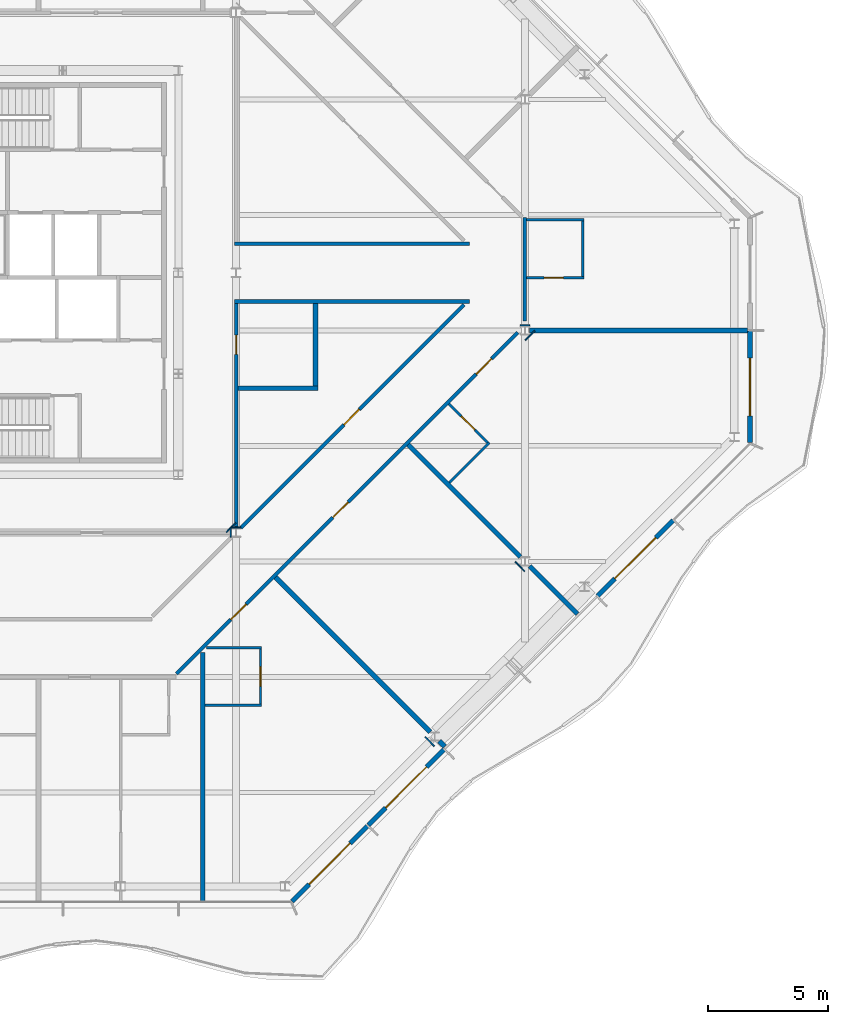
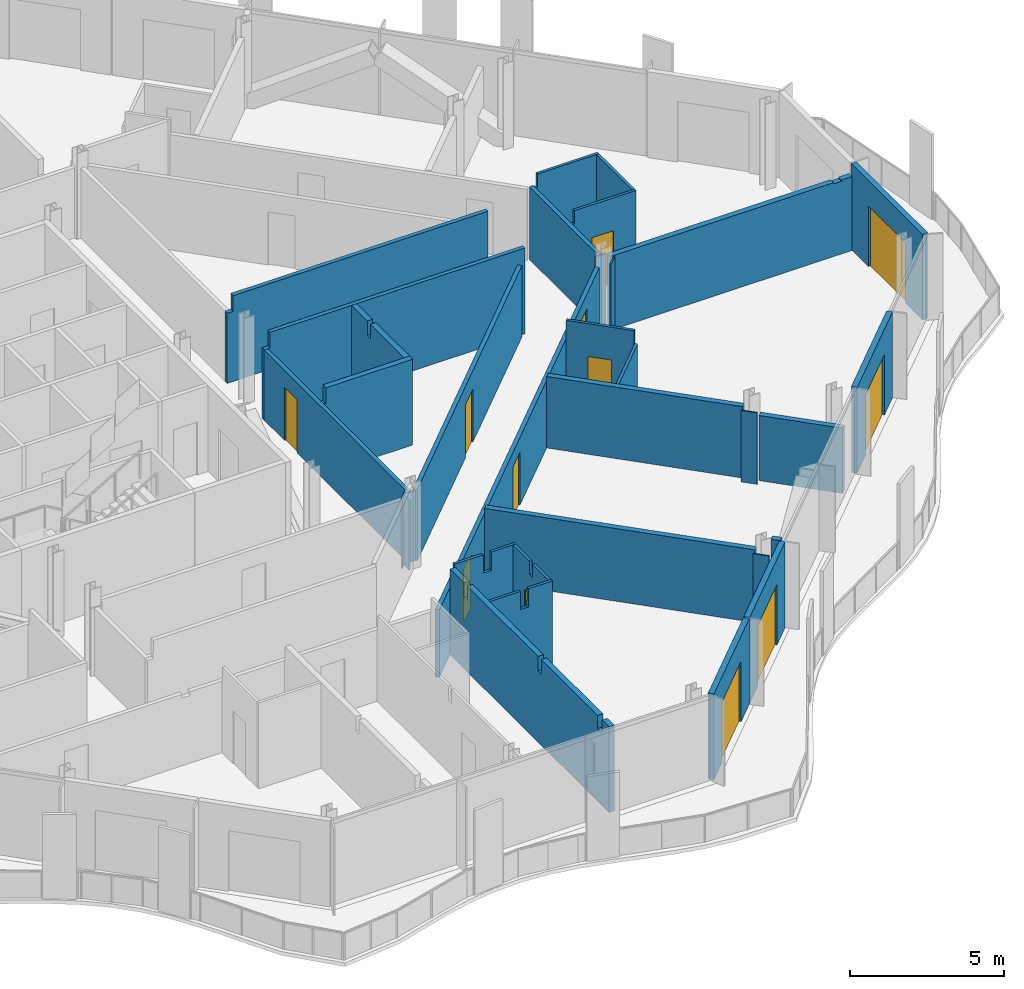
# One storey, part 9 of 17: 33 walls, 12 doors, 12 openings.
"""IFC4 building model written with IfcOpenShell, lengths in metres."""

import ifcopenshell
import ifcopenshell.guid

model = None  # the IFC model being written
_history = None  # IfcOwnerHistory: only IFC2X3 demands one
_inside = {}  # id of a spatial element -> (the spatial element, [elements in it])
_under = {}  # id of a project, library or spatial element -> (it, [spatial elements below it])
_declared = {}  # id of a project -> (the project, [libraries it declares])
_typed = {}  # id of a type object -> (the type object, [elements of that type])
_made_of = {}  # id of a material, layer set ... -> (it, [elements and type objects made of it])


def new_model(schema):
    """Start an empty IFC model of exactly this schema.

    Asked for "IFC4X3", IfcOpenShell would pick the latest addendum, in which some entities
    have other attributes; the version numbers below select the first issue.
    IFC2X3 requires an IfcOwnerHistory on every rooted entity: one is made here for all.
    """
    global model, _history
    if schema == "IFC4X3":
        model = ifcopenshell.file(schema_version=(4, 3, 0, 0))
    else:
        model = ifcopenshell.file(schema=schema)
    _inside.clear()
    _under.clear()
    _declared.clear()
    _typed.clear()
    _made_of.clear()
    _history = None
    if model.schema == "IFC2X3":
        org = make("IfcOrganization", Name="unknown")
        user = make(
            "IfcPersonAndOrganization",
            ThePerson=make("IfcPerson", FamilyName="unknown"),
            TheOrganization=org,
        )
        app = make(
            "IfcApplication",
            ApplicationDeveloper=org,
            Version="unknown",
            ApplicationFullName="unknown",
            ApplicationIdentifier="unknown",
        )
        _history = make(
            "IfcOwnerHistory",
            OwningUser=user,
            OwningApplication=app,
            ChangeAction="ADDED",
            CreationDate=0,
        )
    return model


def make(cls, **values):
    """One entity of the class cls with the attributes given. An attribute that is None is left unset."""
    return model.create_entity(
        cls, **{name: value for name, value in values.items() if value is not None}
    )


def rooted(cls, **values):
    """An entity with a GlobalId (a new one), such as an element, a storey or a relation."""
    return make(cls, GlobalId=ifcopenshell.guid.new(), OwnerHistory=_history, **values)


def si_unit(unit_type, name, prefix=None):
    """IfcSIUnit, for example si_unit("LENGTHUNIT", "METRE", prefix="MILLI")."""
    return make("IfcSIUnit", UnitType=unit_type, Prefix=prefix, Name=name)


def assignment(units):
    """IfcUnitAssignment: the units of a project."""
    return None if units is None else make("IfcUnitAssignment", Units=units)


def point(xyz):
    """IfcCartesianPoint."""
    return None if xyz is None else make("IfcCartesianPoint", Coordinates=xyz)


def direction(xyz):
    """IfcDirection."""
    return None if xyz is None else make("IfcDirection", DirectionRatios=xyz)


def frame(location, z_axis=None, x_axis=None):
    """IfcAxis2Placement3D, a coordinate frame: its origin and axes. An axis left out is left unset."""
    return make(
        "IfcAxis2Placement3D",
        Location=point(location),
        Axis=direction(z_axis),
        RefDirection=direction(x_axis),
    )


def frame_2d(location, x_axis=None):
    """IfcAxis2Placement2D, a coordinate frame in the plane: its origin and x axis."""
    return make(
        "IfcAxis2Placement2D", Location=point(location), RefDirection=direction(x_axis)
    )


def origin():
    """The frame at (0, 0, 0) with its axes left unset."""
    return frame((0.0, 0.0, 0.0))


def place(relative_to, where):
    """IfcLocalPlacement: puts the frame where relative to a parent placement (None: the world)."""
    return make(
        "IfcLocalPlacement", PlacementRelTo=relative_to, RelativePlacement=where
    )


def context(
    kind, dimensions, precision=None, world=None, true_north=None, identifier=None
):
    """IfcGeometricRepresentationContext, for example the 3D "Model" context."""
    return make(
        "IfcGeometricRepresentationContext",
        ContextIdentifier=identifier,
        ContextType=kind,
        CoordinateSpaceDimension=dimensions,
        Precision=precision,
        WorldCoordinateSystem=world,
        TrueNorth=true_north,
    )


def subcontext(parent, identifier, kind, view, scale=None):
    """IfcGeometricRepresentationSubContext, for example "Body" below "Model"."""
    return make(
        "IfcGeometricRepresentationSubContext",
        ContextIdentifier=identifier,
        ContextType=kind,
        ParentContext=parent,
        TargetScale=scale,
        TargetView=view,
    )


def project(units=None, contexts=None):
    """IfcProject with its units and contexts."""
    return rooted(
        "IfcProject",
        Name="project",
        RepresentationContexts=contexts,
        UnitsInContext=assignment(units),
    )


def spatial(cls, under=None, at=None, **own):
    """A site, building, storey or space (cls), placed at a placement, below another one or the project."""
    s = rooted(cls, ObjectPlacement=at, **own)
    if under is not None:
        _under.setdefault(under.id(), (under, []))[1].append(s)
    return s


def polyline(points):
    """IfcPolyline through the points."""
    return make("IfcPolyline", Points=[point(p) for p in points])


def profile(cls, at=None, kind="AREA", **sizes):
    """A parametric profile (cls). Its sizes go by their IFC names, for example OverallWidth=200.0."""
    return make(cls, ProfileType=kind, Position=at, **sizes)


def rectangle(**sizes):
    """IfcRectangleProfileDef."""
    return profile("IfcRectangleProfileDef", **sizes)


def outline(outer, holes=None, kind="AREA"):
    """IfcArbitraryClosedProfileDef: a profile drawn as a closed curve; with holes, ...WithVoids."""
    if holes is None:
        return make("IfcArbitraryClosedProfileDef", ProfileType=kind, OuterCurve=outer)
    return make(
        "IfcArbitraryProfileDefWithVoids",
        ProfileType=kind,
        OuterCurve=outer,
        InnerCurves=holes,
    )


def extrude(swept, where, along, depth):
    """IfcExtrudedAreaSolid: the profile swept, set in the frame where, extruded along a direction by depth."""
    return make(
        "IfcExtrudedAreaSolid",
        SweptArea=swept,
        Position=where,
        ExtrudedDirection=direction(along),
        Depth=depth,
    )


def shape(context_of_items, identifier, shape_type, items):
    """IfcShapeRepresentation: the items that make up one representation, for example the "Body"."""
    return make(
        "IfcShapeRepresentation",
        ContextOfItems=context_of_items,
        RepresentationIdentifier=identifier,
        RepresentationType=shape_type,
        Items=items,
    )


def material(Name=None, Category=None):
    """IfcMaterial."""
    return make("IfcMaterial", Name=Name, Category=Category)


def layer(
    of_material, thickness, ventilated=None, Name=None, Category=None, Priority=None
):
    """IfcMaterialLayer: one layer of a wall or slab, of a material (None: an air gap)."""
    return make(
        "IfcMaterialLayer",
        Material=of_material,
        LayerThickness=thickness,
        IsVentilated=ventilated,
        Name=Name,
        Category=Category,
        Priority=Priority,
    )


def layer_set(layers, Name=None):
    """IfcMaterialLayerSet."""
    return make("IfcMaterialLayerSet", MaterialLayers=layers, LayerSetName=Name)


def made_of(thing, what):
    """Note that an element or type object is made of a material, layer set ...; save() writes the relation."""
    if what is not None:
        _made_of.setdefault(what.id(), (what, []))[1].append(thing)
    return thing


def type_object(cls, material=None, **own):
    """A type object (cls), such as IfcWallType, which elements share."""
    return made_of(rooted(cls, **own), material)


def element(
    cls,
    number,
    at=None,
    inside=None,
    cuts=None,
    type_object=None,
    material=None,
    context=None,
    identifier="Body",
    shape_type=None,
    held_by="IfcProductDefinitionShape",
    body=None,
    shapes=None,
    **own,
):
    """One element of the class cls, such as IfcWall. Its Tag is "e" and its number.

    at: its placement. inside: the storey or other place that contains it. cuts: it is an
    opening in that element (IfcRelVoidsElement). A single representation is given by context,
    identifier, shape_type and body (its items); several are given by shapes. held_by: the class
    of the entity that holds the representations. save() writes the other relations.
    """
    e = rooted(cls, Tag="e%d" % number, ObjectPlacement=at, **own)
    if body is not None:
        shapes = [shape(context, identifier, shape_type, body)]
    if shapes is not None:
        e.Representation = make(held_by, Representations=shapes)
    if inside is not None:
        _inside.setdefault(inside.id(), (inside, []))[1].append(e)
    if cuts is not None:
        rooted(
            "IfcRelVoidsElement", RelatingBuildingElement=cuts, RelatedOpeningElement=e
        )
    if type_object is not None:
        _typed.setdefault(type_object.id(), (type_object, []))[1].append(e)
    return made_of(e, material)


def fill(opening, filler):
    """IfcRelFillsElement: the door or window that sits in an opening."""
    return rooted(
        "IfcRelFillsElement",
        RelatingOpeningElement=opening,
        RelatedBuildingElement=filler,
    )


def aggregate(whole, parts):
    """IfcRelAggregates: a whole, such as a stair, and the parts it consists of."""
    return rooted("IfcRelAggregates", RelatingObject=whole, RelatedObjects=parts)


def save(model, path):
    """Write the relations noted so far, then the file.

    IfcRelAggregates (storeys below a building ...), IfcRelContainedInSpatialStructure (elements
    in a storey), IfcRelDefinesByType, IfcRelAssociatesMaterial and IfcRelDeclares: one each for
    every whole, place, type object, material and project.
    """
    for whole, parts in _under.values():
        aggregate(whole, parts)
    for where, things in _inside.values():
        rooted(
            "IfcRelContainedInSpatialStructure",
            RelatedElements=things,
            RelatingStructure=where,
        )
    for kind, things in _typed.values():
        rooted("IfcRelDefinesByType", RelatedObjects=things, RelatingType=kind)
    for what, things in _made_of.values():
        rooted("IfcRelAssociatesMaterial", RelatedObjects=things, RelatingMaterial=what)
    for by, libraries in _declared.values():
        rooted("IfcRelDeclares", RelatingContext=by, RelatedDefinitions=libraries)
    model.write(path)


model = new_model("IFC4")

# Units and contexts
model_context = context("Model", 3, precision=1e-05, world=origin(), true_north=direction((0.0, 1.0)))
body_context = subcontext(model_context, "Body", "Model", "MODEL_VIEW")
ifc_project = project(units=[si_unit("LENGTHUNIT", "METRE"), si_unit("AREAUNIT", "SQUARE_METRE"), si_unit("VOLUMEUNIT", "CUBIC_METRE"), si_unit("PLANEANGLEUNIT", "RADIAN"), si_unit("MASSUNIT", "GRAM", prefix="KILO")], contexts=[model_context])

# Site, building, storey
site_placement = place(None, origin())
site = spatial("IfcSite", under=ifc_project, at=site_placement, CompositionType="ELEMENT")
building_placement = place(site_placement, origin())
building = spatial("IfcBuilding", under=site, at=building_placement, Name="Cairn Pilgrim Tower", CompositionType="ELEMENT")
storey_placement = place(building_placement, frame((0.0, 0.0, 292.199951171875)))
storey = spatial("IfcBuildingStorey", under=building, at=storey_placement, Name="L75", CompositionType="ELEMENT", Elevation=292.199951171875)

# Wall, opening, door
ifc_material_1 = material(Name="Bronze anodised aluminium insulated sandwich panel with mineral wool fill", Category="aluminium")
ifc_layer_1 = layer(ifc_material_1, 0.199951171875)
ifc_layer_set_1 = layer_set([ifc_layer_1], Name="BRONZE INFILL FRAME WALL 200")
wall_type_1 = type_object("IfcWallType", Name="BRONZE INFILL FRAME WALL 200", PredefinedType="NOTDEFINED", material=ifc_layer_set_1)
wall_1_placement = place(storey_placement, frame((21.524658203125, -23.7216796875, 0.0), z_axis=(0.0, 0.0, 1.0), x_axis=(0.707134392299, 0.707079168996, 0.0)))
wall_1 = element("IfcWall", 1, at=wall_1_placement, inside=storey, type_object=wall_type_1, Name="Bronze infill frame wall IW-SE1", PredefinedType="NOTDEFINED", context=body_context, shape_type="SweptSolid", body=[
    extrude(rectangle(XDim=4.4208984375, YDim=0.199951171875, at=frame_2d((2.21044921875, 0.0))), origin(), (0.0, 0.0, 1.0), 3.400146484375),
])
opening_1_placement = place(wall_1_placement, frame((1.00537109375, 0.0, 0.0)))
opening_1 = element("IfcOpeningElement", 2, at=opening_1_placement, cuts=wall_1, Name="Opening 7503B2", PredefinedType="OPENING", context=body_context, shape_type="SweptSolid", body=[
    extrude(rectangle(XDim=2.39990234375, YDim=2.39990234375, at=frame_2d((1.199951171875, 1.199951171875))), frame((0.0, 0.10986328125, 0.0), z_axis=(0.0, -1.0, 0.0), x_axis=(1.0, 0.0, 0.0)), (0.0, 0.0, 1.0), 0.219970703125),
])
ifc_material_2 = material(Name="Bronze anodised aluminium frame with tinted low-E glass", Category="aluminium")
door_type_1 = type_object("IfcDoorType", Name="BALCONY SLIDING DOOR 2400x2400", OperationType="DOUBLE_DOOR_SLIDING", PredefinedType="DOOR", material=ifc_material_2)
door_1_placement = place(opening_1_placement, origin())
door_1 = element("IfcDoor", 3, at=door_1_placement, inside=storey, type_object=door_type_1, Name="Balcony sliding door 7503B2", OperationType="SINGLE_SWING_LEFT", OverallHeight=2.39990234375, OverallWidth=2.39990234375, PredefinedType="DOOR", context=body_context, shape_type="SweptSolid", body=[
    extrude(rectangle(XDim=2.39990234375, YDim=2.39990234375, at=frame_2d((1.199951171875, 1.199951171875))), frame((0.0, 0.02490234375, 0.0), z_axis=(0.0, -1.0, 0.0), x_axis=(1.0, 0.0, 0.0)), (0.0, 0.0, 1.0), 0.050048828125),
])
fill(opening_1, door_1)

wall_2_placement = place(storey_placement, frame((24.693359375, -20.55322265625, 0.0), z_axis=(0.0, 0.0, 1.0), x_axis=(0.707079231393, 0.707134329907, 0.0)))
wall_2 = element("IfcWall", 4, at=wall_2_placement, inside=storey, type_object=wall_type_1, Name="Bronze infill frame wall IW-SE2", PredefinedType="NOTDEFINED", context=body_context, shape_type="SweptSolid", body=[
    extrude(rectangle(XDim=4.430908203125, YDim=0.199951171875, at=frame_2d((2.21533203125, 0.0))), origin(), (0.0, 0.0, 1.0), 3.400146484375),
])
opening_2_placement = place(wall_2_placement, frame((1.015380859375, 0.0, 0.0)))
opening_2 = element("IfcOpeningElement", 5, at=opening_2_placement, cuts=wall_2, Name="Opening 7503B", PredefinedType="OPENING", context=body_context, shape_type="SweptSolid", body=[
    extrude(rectangle(XDim=2.39990234375, YDim=2.39990234375, at=frame_2d((1.199951171875, 1.199951171875))), frame((0.0, 0.10986328125, 0.0), z_axis=(0.0, -1.0, 0.0), x_axis=(1.0, 0.0, 0.0)), (0.0, 0.0, 1.0), 0.219970703125),
])
door_2_placement = place(opening_2_placement, origin())
door_2 = element("IfcDoor", 6, at=door_2_placement, inside=storey, type_object=door_type_1, Name="Balcony sliding door 7503B", OperationType="SINGLE_SWING_LEFT", OverallHeight=2.39990234375, OverallWidth=2.39990234375, PredefinedType="DOOR", context=body_context, shape_type="SweptSolid", body=[
    extrude(rectangle(XDim=2.39990234375, YDim=2.39990234375, at=frame_2d((1.199951171875, 1.199951171875))), frame((0.0, 0.02490234375, 0.0), z_axis=(0.0, -1.0, 0.0), x_axis=(1.0, 0.0, 0.0)), (0.0, 0.0, 1.0), 0.050048828125),
])
fill(opening_2, door_2)

wall_3_placement = place(storey_placement, frame((34.219970703125, -11.0263671875, 0.0), z_axis=(0.0, 0.0, 1.0), x_axis=(0.707134329907, 0.707079231393, 0.0)))
wall_3 = element("IfcWall", 7, at=wall_3_placement, inside=storey, type_object=wall_type_1, Name="Bronze infill frame wall IW-SE5", PredefinedType="NOTDEFINED", context=body_context, shape_type="SweptSolid", body=[
    extrude(rectangle(XDim=4.430908203125, YDim=0.199951171875, at=frame_2d((2.21533203125, 0.0))), origin(), (0.0, 0.0, 1.0), 3.400146484375),
])
opening_3_placement = place(wall_3_placement, frame((1.01513671875, 0.0, 0.0)))
opening_3 = element("IfcOpeningElement", 8, at=opening_3_placement, cuts=wall_3, Name="Opening 7505B", PredefinedType="OPENING", context=body_context, shape_type="SweptSolid", body=[
    extrude(rectangle(XDim=2.39990234375, YDim=2.39990234375, at=frame_2d((1.199951171875, 1.199951171875))), frame((0.0, 0.10986328125, 0.0), z_axis=(0.0, -1.0, 0.0), x_axis=(1.0, 0.0, 0.0)), (0.0, 0.0, 1.0), 0.219970703125),
])
door_3_placement = place(opening_3_placement, origin())
door_3 = element("IfcDoor", 9, at=door_3_placement, inside=storey, type_object=door_type_1, Name="Balcony sliding door 7505B", OperationType="SINGLE_SWING_LEFT", OverallHeight=2.39990234375, OverallWidth=2.39990234375, PredefinedType="DOOR", context=body_context, shape_type="SweptSolid", body=[
    extrude(rectangle(XDim=2.39990234375, YDim=2.39990234375, at=frame_2d((1.199951171875, 1.199951171875))), frame((0.0, 0.02490234375, 0.0), z_axis=(0.0, -1.0, 0.0), x_axis=(1.0, 0.0, 0.0)), (0.0, 0.0, 1.0), 0.050048828125),
])
fill(opening_3, door_3)

wall_4_placement = place(storey_placement, frame((40.550048828125, -4.656494140625, 0.0), z_axis=(0.0, 0.0, 1.0), x_axis=(0.0, 1.0, 0.0)))
wall_4 = element("IfcWall", 10, at=wall_4_placement, inside=storey, type_object=wall_type_1, Name="Bronze infill frame wall IW-E1", PredefinedType="NOTDEFINED", context=body_context, shape_type="SweptSolid", body=[
    extrude(rectangle(XDim=4.62646484375, YDim=0.199951171875, at=frame_2d((2.313232421875, 0.0))), origin(), (0.0, 0.0, 1.0), 3.400146484375),
])
opening_4_placement = place(wall_4_placement, frame((1.1083984375, 0.0, 0.0)))
opening_4 = element("IfcOpeningElement", 11, at=opening_4_placement, cuts=wall_4, Name="Opening 7505B2", PredefinedType="OPENING", context=body_context, shape_type="SweptSolid", body=[
    extrude(rectangle(XDim=2.39990234375, YDim=2.39990234375, at=frame_2d((1.199951171875, 1.199951171875))), frame((0.0, 0.10986328125, 0.0), z_axis=(0.0, -1.0, 0.0), x_axis=(1.0, 0.0, 0.0)), (0.0, 0.0, 1.0), 0.219970703125),
])
door_4_placement = place(opening_4_placement, origin())
door_4 = element("IfcDoor", 12, at=door_4_placement, inside=storey, type_object=door_type_1, Name="Balcony sliding door 7505B2", OperationType="SINGLE_SWING_LEFT", OverallHeight=2.39990234375, OverallWidth=2.39990234375, PredefinedType="DOOR", context=body_context, shape_type="SweptSolid", body=[
    extrude(rectangle(XDim=2.39990234375, YDim=2.39990234375, at=frame_2d((1.199951171875, 1.199951171875))), frame((0.0, 0.02490234375, 0.0), z_axis=(0.0, -1.0, 0.0), x_axis=(1.0, 0.0, 0.0)), (0.0, 0.0, 1.0), 0.050048828125),
])
fill(opening_4, door_4)

# Wall
ifc_material_3 = material(Name="Gypsum partition")
ifc_layer_2 = layer(ifc_material_3, 0.10009765625)
ifc_layer_set_2 = layer_set([ifc_layer_2], Name="PARTITION 100 DRYWALL")
wall_type_2 = type_object("IfcWallType", Name="PARTITION 100 DRYWALL", PredefinedType="PARTITIONING", material=ifc_layer_set_2)
wall_5_placement = place(storey_placement, frame((17.9140625, -15.580078125, 0.0), z_axis=(0.0, 0.0, 1.0), x_axis=(1.0, 0.0, 0.0)))
element("IfcWall", 13, at=wall_5_placement, inside=storey, type_object=wall_type_2, Name="PARTITION W011", PredefinedType="PARTITIONING", context=body_context, shape_type="SweptSolid", body=[
    extrude(outline(polyline([(0.0, 0.0), (2.349853515625, 0.0), (2.35009765625, 3.400146484375), (1.43603515625, 3.400146484375), (1.43408203125, 2.679931640625), (1.135986328125, 2.679931640625), (1.134033203125, 3.400146484375), (0.0, 3.400146484375), (0.0, 0.0)])), frame((0.0, 0.050048828125, 0.0), z_axis=(0.0, -1.0, 0.0), x_axis=(1.0, 0.0, 0.0)), (0.0, 0.0, 1.0), 0.10009765625),
])

# Wall, opening, door
wall_6_placement = place(storey_placement, frame((20.214111328125, -15.530029296875, 0.0), z_axis=(0.0, 0.0, 1.0), x_axis=(0.0, 1.0, 0.0)))
wall_6 = element("IfcWall", 14, at=wall_6_placement, inside=storey, type_object=wall_type_2, Name="PARTITION W012", PredefinedType="PARTITIONING", context=body_context, shape_type="SweptSolid", body=[
    extrude(outline(polyline([(0.0, 0.0), (2.300048828125, 0.0), (2.300048828125, 3.400146484375), (1.22998046875, 3.400146484375), (1.22802734375, 2.880126953125), (1.030029296875, 2.880126953125), (1.028076171875, 3.400146484375), (0.0, 3.400146484375), (0.0, 0.0)])), frame((0.0, 0.050048828125, 0.0), z_axis=(0.0, -1.0, 0.0), x_axis=(1.0, 0.0, 0.0)), (0.0, 0.0, 1.0), 0.10009765625),
])
opening_5_placement = place(wall_6_placement, frame((0.75, 0.0, 0.0)))
opening_5 = element("IfcOpeningElement", 15, at=opening_5_placement, cuts=wall_6, Name="Opening 7503A", PredefinedType="OPENING", context=body_context, shape_type="SweptSolid", body=[
    extrude(rectangle(XDim=0.800048828125, YDim=2.10009765625, at=frame_2d((0.39990234375, 1.050048828125))), frame((0.0, 0.06005859375, 0.0), z_axis=(0.0, -1.0, 0.0), x_axis=(1.0, 0.0, 0.0)), (0.0, 0.0, 1.0), 0.1201171875),
])
ifc_material_4 = material(Name="Timber door leaf", Category="wood")
door_type_2 = type_object("IfcDoorType", Name="WC DOOR 800x2100", OperationType="NOTDEFINED", PredefinedType="DOOR", material=ifc_material_4)
door_5_placement = place(opening_5_placement, frame((0.800048828125, 0.0, 0.0), z_axis=(0.0, 0.0, 1.0), x_axis=(-1.0, 0.0, 0.0)))
door_5 = element("IfcDoor", 16, at=door_5_placement, inside=storey, type_object=door_type_2, Name="DOOR 7503A", OperationType="SINGLE_SWING_LEFT", OverallHeight=2.10009765625, OverallWidth=0.800048828125, PredefinedType="DOOR", context=body_context, shape_type="SweptSolid", body=[
    extrude(rectangle(XDim=0.800048828125, YDim=2.10009765625, at=frame_2d((0.39990234375, 1.050048828125))), frame((0.0, 0.02490234375, 0.0), z_axis=(0.0, -1.0, 0.0), x_axis=(1.0, 0.0, 0.0)), (0.0, 0.0, 1.0), 0.050048828125),
])
fill(opening_5, door_5)

# Walls
wall_7_placement = place(storey_placement, frame((17.97021484375, -13.179931640625, 0.0), z_axis=(0.0, 0.0, 1.0), x_axis=(1.0, 0.0, 0.0)))
element("IfcWall", 17, at=wall_7_placement, inside=storey, type_object=wall_type_2, Name="PARTITION W015", PredefinedType="PARTITIONING", context=body_context, shape_type="SweptSolid", body=[
    extrude(outline(polyline([(0.0, 0.0), (2.293701171875, 0.0), (2.2939453125, 3.400146484375), (1.3798828125, 3.400146484375), (1.3779296875, 2.679931640625), (1.079833984375, 2.679931640625), (1.077880859375, 3.400146484375), (0.0, 3.400146484375), (0.0, 0.0)])), frame((0.0, 0.050048828125, 0.0), z_axis=(0.0, -1.0, 0.0), x_axis=(1.0, 0.0, 0.0)), (0.0, 0.0, 1.0), 0.10009765625),
])
wall_8_placement = place(storey_placement, frame((28.064697265625, -6.3232421875, 0.0), z_axis=(0.0, 0.0, 1.0), x_axis=(0.707106781187, 0.707106781187, 0.0)))
element("IfcWall", 18, at=wall_8_placement, inside=storey, type_object=wall_type_2, Name="PARTITION W031", PredefinedType="PARTITIONING", context=body_context, shape_type="SweptSolid", body=[
    extrude(rectangle(XDim=2.349853515625, YDim=0.10009765625, at=frame_2d((1.1748046875, 0.0))), origin(), (0.0, 0.0, 1.0), 2.830078125),
])

# Wall, opening, door
wall_9_placement = place(storey_placement, frame((29.655517578125, -4.66162109375, 0.0), z_axis=(0.0, 0.0, 1.0), x_axis=(-0.707053116953, 0.707160441348, 0.0)))
wall_9 = element("IfcWall", 19, at=wall_9_placement, inside=storey, type_object=wall_type_2, Name="PARTITION W032", PredefinedType="PARTITIONING", context=body_context, shape_type="SweptSolid", body=[
    extrude(rectangle(XDim=2.27490234375, YDim=0.10009765625, at=frame_2d((1.137451171875, 0.0))), origin(), (0.0, 0.0, 1.0), 3.400146484375),
])
opening_6_placement = place(wall_9_placement, frame((0.75, 0.0, 0.0)))
opening_6 = element("IfcOpeningElement", 20, at=opening_6_placement, cuts=wall_9, Name="Opening 7505A", PredefinedType="OPENING", context=body_context, shape_type="SweptSolid", body=[
    extrude(rectangle(XDim=0.800048828125, YDim=2.10009765625, at=frame_2d((0.39990234375, 1.050048828125))), frame((0.0, 0.06005859375, 0.0), z_axis=(0.0, -1.0, 0.0), x_axis=(1.0, 0.0, 0.0)), (0.0, 0.0, 1.0), 0.1201171875),
])
door_6_placement = place(opening_6_placement, frame((0.800048828125, 0.0, 0.0), z_axis=(0.0, 0.0, 1.0), x_axis=(-1.0, 0.0, 0.0)))
door_6 = element("IfcDoor", 21, at=door_6_placement, inside=storey, type_object=door_type_2, Name="DOOR 7505A", OperationType="SINGLE_SWING_LEFT", OverallHeight=2.10009765625, OverallWidth=0.800048828125, PredefinedType="DOOR", context=body_context, shape_type="SweptSolid", body=[
    extrude(rectangle(XDim=0.800048828125, YDim=2.10009765625, at=frame_2d((0.39990234375, 1.050048828125))), frame((0.0, 0.02490234375, 0.0), z_axis=(0.0, -1.0, 0.0), x_axis=(1.0, 0.0, 0.0)), (0.0, 0.0, 1.0), 0.050048828125),
])
fill(opening_6, door_6)

wall_10_placement = place(storey_placement, frame((31.27490234375, 2.194091796875, 0.0), z_axis=(0.0, 0.0, 1.0), x_axis=(1.0, 0.0, 0.0)))
wall_10 = element("IfcWall", 22, at=wall_10_placement, inside=storey, type_object=wall_type_2, Name="PARTITION W038", PredefinedType="PARTITIONING", context=body_context, shape_type="SweptSolid", body=[
    extrude(outline(polyline([(0.0, 0.0), (2.375, 0.0), (2.375, 3.400146484375), (0.074951171875, 3.400146484375), (0.072998046875, 2.880126953125), (0.0, 2.880126953125), (0.0, 0.0)])), frame((0.0, 0.050048828125, 0.0), z_axis=(0.0, -1.0, 0.0), x_axis=(1.0, 0.0, 0.0)), (0.0, 0.0, 1.0), 0.10009765625),
])
opening_7_placement = place(wall_10_placement, frame((0.72509765625, 0.0, 0.0)))
opening_7 = element("IfcOpeningElement", 23, at=opening_7_placement, cuts=wall_10, Name="Opening 7506A", PredefinedType="OPENING", context=body_context, shape_type="SweptSolid", body=[
    extrude(rectangle(XDim=0.800048828125, YDim=2.10009765625, at=frame_2d((0.39990234375, 1.050048828125))), frame((0.0, 0.06005859375, 0.0), z_axis=(0.0, -1.0, 0.0), x_axis=(1.0, 0.0, 0.0)), (0.0, 0.0, 1.0), 0.1201171875),
])
door_7_placement = place(opening_7_placement, frame((0.800048828125, 0.0, 0.0), z_axis=(0.0, 0.0, 1.0), x_axis=(-1.0, 0.0, 0.0)))
door_7 = element("IfcDoor", 24, at=door_7_placement, inside=storey, type_object=door_type_2, Name="DOOR 7506A", OperationType="SINGLE_SWING_LEFT", OverallHeight=2.10009765625, OverallWidth=0.800048828125, PredefinedType="DOOR", context=body_context, shape_type="SweptSolid", body=[
    extrude(rectangle(XDim=0.800048828125, YDim=2.10009765625, at=frame_2d((0.39990234375, 1.050048828125))), frame((0.0, 0.02490234375, 0.0), z_axis=(0.0, -1.0, 0.0), x_axis=(1.0, 0.0, 0.0)), (0.0, 0.0, 1.0), 0.050048828125),
])
fill(opening_7, door_7)

# Walls
wall_11_placement = place(storey_placement, frame((33.60009765625, 2.243896484375, 0.0), z_axis=(0.0, 0.0, 1.0), x_axis=(0.0, 1.0, 0.0)))
element("IfcWall", 25, at=wall_11_placement, inside=storey, type_object=wall_type_2, Name="PARTITION W039", PredefinedType="PARTITIONING", context=body_context, shape_type="SweptSolid", body=[
    extrude(rectangle(XDim=2.300048828125, YDim=0.10009765625, at=frame_2d((1.14990234375, 0.0))), origin(), (0.0, 0.0, 1.0), 3.400146484375),
])
wall_12_placement = place(storey_placement, frame((31.27490234375, 4.593994140625, 0.0), z_axis=(0.0, 0.0, 1.0), x_axis=(1.0, 0.0, 0.0)))
element("IfcWall", 26, at=wall_12_placement, inside=storey, type_object=wall_type_2, Name="PARTITION W044", PredefinedType="PARTITIONING", context=body_context, shape_type="SweptSolid", body=[
    extrude(outline(polyline([(0.0, 0.0), (2.375, 0.0), (2.375, 3.400146484375), (0.074951171875, 3.400146484375), (0.072998046875, 2.880126953125), (0.0, 2.880126953125), (0.0, 0.0)])), frame((0.0, 0.050048828125, 0.0), z_axis=(0.0, -1.0, 0.0), x_axis=(1.0, 0.0, 0.0)), (0.0, 0.0, 1.0), 0.10009765625),
])

# Wall, openings, doors
ifc_layer_3 = layer(ifc_material_3, 0.14990234375)
ifc_layer_set_3 = layer_set([ifc_layer_3], Name="PARTITION 150 DRYWALL EI 60")
wall_type_3 = type_object("IfcWallType", Name="PARTITION 150 DRYWALL EI 60", PredefinedType="PARTITIONING", material=ifc_layer_set_3)
wall_13_placement = place(storey_placement, frame((16.721923828125, -14.27197265625, 0.0), z_axis=(0.0, 0.0, 1.0), x_axis=(0.707106781187, 0.707106781187, 0.0)))
wall_13 = element("IfcWall", 27, at=wall_13_placement, inside=storey, type_object=wall_type_3, Name="PARTITION W014", PredefinedType="PARTITIONING", context=body_context, shape_type="SweptSolid", body=[
    extrude(rectangle(XDim=20.0576171875, YDim=0.14990234375, at=frame_2d((10.02880859375, 0.0))), origin(), (0.0, 0.0, 1.0), 2.679931640625),
])
opening_8_placement = place(wall_13_placement, frame((3.19482421875, 0.0, 0.0)))
opening_8 = element("IfcOpeningElement", 28, at=opening_8_placement, cuts=wall_13, Name="Opening 7503", PredefinedType="OPENING", context=body_context, shape_type="SweptSolid", body=[
    extrude(rectangle(XDim=0.89990234375, YDim=2.10009765625, at=frame_2d((0.449951171875, 1.050048828125))), frame((0.0, 0.0849609375, 0.0), z_axis=(0.0, -1.0, 0.0), x_axis=(1.0, 0.0, 0.0)), (0.0, 0.0, 1.0), 0.169921875),
])
opening_9_placement = place(wall_13_placement, frame((9.193115234375, 0.0, 0.0)))
opening_9 = element("IfcOpeningElement", 29, at=opening_9_placement, cuts=wall_13, Name="Opening 7504", PredefinedType="OPENING", context=body_context, shape_type="SweptSolid", body=[
    extrude(rectangle(XDim=0.89990234375, YDim=2.10009765625, at=frame_2d((0.449951171875, 1.050048828125))), frame((0.0, 0.0849609375, 0.0), z_axis=(0.0, -1.0, 0.0), x_axis=(1.0, 0.0, 0.0)), (0.0, 0.0, 1.0), 0.169921875),
])
opening_10_placement = place(wall_13_placement, frame((17.612548828125, 0.0, 0.0)))
opening_10 = element("IfcOpeningElement", 30, at=opening_10_placement, cuts=wall_13, Name="Opening 7505", PredefinedType="OPENING", context=body_context, shape_type="SweptSolid", body=[
    extrude(rectangle(XDim=0.89990234375, YDim=2.10009765625, at=frame_2d((0.449951171875, 1.050048828125))), frame((0.0, 0.0849609375, 0.0), z_axis=(0.0, -1.0, 0.0), x_axis=(1.0, 0.0, 0.0)), (0.0, 0.0, 1.0), 0.169921875),
])
door_type_3 = type_object("IfcDoorType", Name="ROOM DOOR 900x2100 FD30S", OperationType="NOTDEFINED", PredefinedType="DOOR", material=ifc_material_4)
door_8_placement = place(opening_8_placement, frame((0.89990234375, 0.0, 0.0), z_axis=(0.0, 0.0, 1.0), x_axis=(-1.0, 0.0, 0.0)))
door_8 = element("IfcDoor", 31, at=door_8_placement, inside=storey, type_object=door_type_3, Name="DOOR 7503", OperationType="SINGLE_SWING_LEFT", OverallHeight=2.10009765625, OverallWidth=0.89990234375, PredefinedType="DOOR", context=body_context, shape_type="SweptSolid", body=[
    extrude(rectangle(XDim=0.89990234375, YDim=2.10009765625, at=frame_2d((0.449951171875, 1.050048828125))), frame((0.0, 0.02490234375, 0.0), z_axis=(0.0, -1.0, 0.0), x_axis=(1.0, 0.0, 0.0)), (0.0, 0.0, 1.0), 0.050048828125),
])
fill(opening_8, door_8)
door_9_placement = place(opening_10_placement, frame((0.89990234375, 0.0, 0.0), z_axis=(0.0, 0.0, 1.0), x_axis=(-1.0, 0.0, 0.0)))
door_9 = element("IfcDoor", 32, at=door_9_placement, inside=storey, type_object=door_type_3, Name="DOOR 7505", OperationType="SINGLE_SWING_LEFT", OverallHeight=2.10009765625, OverallWidth=0.89990234375, PredefinedType="DOOR", context=body_context, shape_type="SweptSolid", body=[
    extrude(rectangle(XDim=0.89990234375, YDim=2.10009765625, at=frame_2d((0.449951171875, 1.050048828125))), frame((0.0, 0.02490234375, 0.0), z_axis=(0.0, -1.0, 0.0), x_axis=(1.0, 0.0, 0.0)), (0.0, 0.0, 1.0), 0.050048828125),
])
fill(opening_10, door_9)
door_type_4 = type_object("IfcDoorType", Name="SERVICE DOOR 900x2100 FD30S", OperationType="NOTDEFINED", PredefinedType="DOOR", material=ifc_material_4)
door_10_placement = place(opening_9_placement, frame((0.89990234375, 0.0, 0.0), z_axis=(0.0, 0.0, 1.0), x_axis=(-1.0, 0.0, 0.0)))
door_10 = element("IfcDoor", 33, at=door_10_placement, inside=storey, type_object=door_type_4, Name="DOOR 7504", OperationType="SINGLE_SWING_LEFT", OverallHeight=2.10009765625, OverallWidth=0.89990234375, PredefinedType="DOOR", context=body_context, shape_type="SweptSolid", body=[
    extrude(rectangle(XDim=0.89990234375, YDim=2.10009765625, at=frame_2d((0.449951171875, 1.050048828125))), frame((0.0, 0.02490234375, 0.0), z_axis=(0.0, -1.0, 0.0), x_axis=(1.0, 0.0, 0.0)), (0.0, 0.0, 1.0), 0.050048828125),
])
fill(opening_9, door_10)

# Wall, opening, door
wall_14_placement = place(storey_placement, frame((19.199951171875, -8.21240234375, 0.0), z_axis=(0.0, 0.0, 1.0), x_axis=(0.0, 1.0, 0.0)))
wall_14 = element("IfcWall", 34, at=wall_14_placement, inside=storey, type_object=wall_type_3, Name="PARTITION W029", PredefinedType="PARTITIONING", context=body_context, shape_type="SweptSolid", body=[
    extrude(rectangle(XDim=9.33740234375, YDim=0.14990234375, at=frame_2d((4.668701171875, 0.0))), origin(), (0.0, 0.0, 1.0), 2.780029296875),
])
opening_11_placement = place(wall_14_placement, frame((7.212646484375, 0.0, 0.0)))
opening_11 = element("IfcOpeningElement", 35, at=opening_11_placement, cuts=wall_14, Name="Opening 7512", PredefinedType="OPENING", context=body_context, shape_type="SweptSolid", body=[
    extrude(rectangle(XDim=0.800048828125, YDim=2.10009765625, at=frame_2d((0.39990234375, 1.050048828125))), frame((0.0, 0.0849609375, 0.0), z_axis=(0.0, -1.0, 0.0), x_axis=(1.0, 0.0, 0.0)), (0.0, 0.0, 1.0), 0.169921875),
])
door_type_5 = type_object("IfcDoorType", Name="WC DOOR 800x2100 FD30S", OperationType="NOTDEFINED", PredefinedType="DOOR", material=ifc_material_4)
door_11_placement = place(opening_11_placement, frame((0.800048828125, 0.0, 0.0), z_axis=(0.0, 0.0, 1.0), x_axis=(-1.0, 0.0, 0.0)))
door_11 = element("IfcDoor", 36, at=door_11_placement, inside=storey, type_object=door_type_5, Name="DOOR 7512", OperationType="SINGLE_SWING_RIGHT", OverallHeight=2.10009765625, OverallWidth=0.800048828125, PredefinedType="DOOR", context=body_context, shape_type="SweptSolid", body=[
    extrude(rectangle(XDim=0.800048828125, YDim=2.10009765625, at=frame_2d((0.39990234375, 1.050048828125))), frame((0.0, 0.02490234375, 0.0), z_axis=(0.0, -1.0, 0.0), x_axis=(1.0, 0.0, 0.0)), (0.0, 0.0, 1.0), 0.050048828125),
])
fill(opening_11, door_11)

wall_15_placement = place(storey_placement, frame((19.392333984375, -8.207763671875, 0.0), z_axis=(0.0, 0.0, 1.0), x_axis=(0.707106781187, 0.707106781187, 0.0)))
wall_15 = element("IfcWall", 37, at=wall_15_placement, inside=storey, type_object=wall_type_3, Name="PARTITION W030", PredefinedType="PARTITIONING", context=body_context, shape_type="SweptSolid", body=[
    extrude(rectangle(XDim=13.12353515625, YDim=0.14990234375, at=frame_2d((6.561767578125, 0.0))), origin(), (0.0, 0.0, 1.0), 2.830078125),
])
opening_12_placement = place(wall_15_placement, frame((6.066162109375, 0.0, 0.0)))
opening_12 = element("IfcOpeningElement", 38, at=opening_12_placement, cuts=wall_15, Name="Opening 7513", PredefinedType="OPENING", context=body_context, shape_type="SweptSolid", body=[
    extrude(rectangle(XDim=0.89990234375, YDim=2.10009765625, at=frame_2d((0.449951171875, 1.050048828125))), frame((0.0, 0.0849609375, 0.0), z_axis=(0.0, -1.0, 0.0), x_axis=(1.0, 0.0, 0.0)), (0.0, 0.0, 1.0), 0.169921875),
])
door_12_placement = place(opening_12_placement, origin())
door_12 = element("IfcDoor", 39, at=door_12_placement, inside=storey, type_object=door_type_4, Name="DOOR 7513", OperationType="SINGLE_SWING_RIGHT", OverallHeight=2.10009765625, OverallWidth=0.89990234375, PredefinedType="DOOR", context=body_context, shape_type="SweptSolid", body=[
    extrude(rectangle(XDim=0.89990234375, YDim=2.10009765625, at=frame_2d((0.449951171875, 1.050048828125))), frame((0.0, 0.02490234375, 0.0), z_axis=(0.0, -1.0, 0.0), x_axis=(1.0, 0.0, 0.0)), (0.0, 0.0, 1.0), 0.050048828125),
])
fill(opening_12, door_12)

# Walls
wall_16_placement = place(storey_placement, frame((31.199951171875, 0.38720703125, 0.0), z_axis=(0.0, 0.0, 1.0), x_axis=(0.0, 1.0, 0.0)))
element("IfcWall", 40, at=wall_16_placement, inside=storey, type_object=wall_type_3, Name="PARTITION W036", PredefinedType="PARTITIONING", context=body_context, shape_type="SweptSolid", body=[
    extrude(rectangle(XDim=4.31298828125, YDim=0.14990234375, at=frame_2d((2.156494140625, 0.0))), origin(), (0.0, 0.0, 1.0), 2.880126953125),
])
for number, where, z_axis, x_axis, name in (
    (41, (19.125, 1.199951171875, 0.0), (0.0, 0.0, 1.0), (1.0, 0.0, 0.0), "PARTITION W037"),
    (42, (19.125, 3.60009765625, 0.0), (0.0, 0.0, 1.0), (1.0, 0.0, 0.0), "PARTITION W041"),
):
    element("IfcWall", number, at=place(storey_placement, frame(where, z_axis=z_axis, x_axis=x_axis)), inside=storey, type_object=wall_type_3, Name=name, PredefinedType="PARTITIONING", context=body_context, shape_type="SweptSolid", body=[
        extrude(outline(polyline([(0.0, 0.0), (9.781005859375, 0.0), (9.781005859375, 3.400146484375), (0.22509765625, 3.400146484375), (0.222900390625, 2.780029296875), (0.0, 2.780029296875), (0.0, 0.0)])), frame((0.0, 0.074951171875, 0.0), z_axis=(0.0, -1.0, 0.0), x_axis=(1.0, 0.0, 0.0)), (0.0, 0.0, 1.0), 0.14990234375),
    ])
ifc_layer_4 = layer(ifc_material_3, 0.050048828125)
ifc_layer_set_4 = layer_set([ifc_layer_4], Name="PARTITION 50 DRYWALL EI 60")
wall_type_4 = type_object("IfcWallType", Name="PARTITION 50 DRYWALL EI 60", PredefinedType="PARTITIONING", material=ifc_layer_set_4)
wall_17_placement = place(storey_placement, frame((27.433837890625, -17.27294921875, 0.0), z_axis=(0.0, 0.0, 1.0), x_axis=(-0.707106781187, 0.707106781187, 0.0)))
element("IfcWall", 43, at=wall_17_placement, inside=storey, type_object=wall_type_4, Name="COLUMN CASING WC02", PredefinedType="PARTITIONING", context=body_context, shape_type="SweptSolid", body=[
    extrude(rectangle(XDim=0.536865234375, YDim=0.050048828125, at=frame_2d((0.2685546875, 0.0))), origin(), (0.0, 0.0, 1.0), 2.880126953125),
])
wall_18_placement = place(storey_placement, frame((31.2177734375, -0.402099609375, 0.0), z_axis=(0.0, 0.0, 1.0), x_axis=(0.707106781187, 0.707106781187, 0.0)))
element("IfcWall", 44, at=wall_18_placement, inside=storey, type_object=wall_type_4, Name="COLUMN CASING WC03", PredefinedType="PARTITIONING", context=body_context, shape_type="SweptSolid", body=[
    extrude(rectangle(XDim=0.543701171875, YDim=0.050048828125, at=frame_2d((0.27197265625, 0.0))), origin(), (0.0, 0.0, 1.0), 2.880126953125),
])
wall_19_placement = place(storey_placement, frame((18.7978515625, -8.38232421875, 0.0), z_axis=(0.0, 0.0, 1.0), x_axis=(0.707106781187, 0.707106781187, 0.0)))
element("IfcWall", 45, at=wall_19_placement, inside=storey, type_object=wall_type_4, Name="COLUMN CASING WC05", PredefinedType="PARTITIONING", context=body_context, shape_type="SweptSolid", body=[
    extrude(rectangle(XDim=0.543701171875, YDim=0.050048828125, at=frame_2d((0.27197265625, 0.0))), origin(), (0.0, 0.0, 1.0), 2.780029296875),
])
wall_20_placement = place(storey_placement, frame((31.182373046875, -10.002197265625, 0.0), z_axis=(0.0, 0.0, 1.0), x_axis=(-0.707106781187, 0.707106781187, 0.0)))
element("IfcWall", 46, at=wall_20_placement, inside=storey, type_object=wall_type_4, Name="COLUMN CASING WC06", PredefinedType="PARTITIONING", context=body_context, shape_type="SweptSolid", body=[
    extrude(rectangle(XDim=0.543701171875, YDim=0.050048828125, at=frame_2d((0.27197265625, 0.0))), origin(), (0.0, 0.0, 1.0), 2.830078125),
])
wall_21_placement = place(storey_placement, frame((19.0029296875, -8.1875, 0.0), z_axis=(0.0, 0.0, 1.0), x_axis=(1.0, 0.0, 0.0)))
element("IfcWall", 47, at=wall_21_placement, inside=storey, type_object=wall_type_4, Name="COLUMN CASING WC13", PredefinedType="PARTITIONING", context=body_context, shape_type="SweptSolid", body=[
    extrude(rectangle(XDim=0.39404296875, YDim=0.050048828125, at=frame_2d((0.197021484375, 0.0))), origin(), (0.0, 0.0, 1.0), 2.780029296875),
])
wall_22_placement = place(storey_placement, frame((18.97802734375, -8.58740234375, 0.0), z_axis=(0.0, 0.0, 1.0), x_axis=(0.0, 1.0, 0.0)))
element("IfcWall", 48, at=wall_22_placement, inside=storey, type_object=wall_type_4, Name="COLUMN CASING WC14", PredefinedType="PARTITIONING", context=body_context, shape_type="SweptSolid", body=[
    extrude(rectangle(XDim=0.375, YDim=0.050048828125, at=frame_2d((0.1875, 0.0))), origin(), (0.0, 0.0, 1.0), 2.780029296875),
])
wall_23_placement = place(storey_placement, frame((31.0029296875, 0.21240234375, 0.0), z_axis=(0.0, 0.0, 1.0), x_axis=(1.0, 0.0, 0.0)))
element("IfcWall", 49, at=wall_23_placement, inside=storey, type_object=wall_type_4, Name="COLUMN CASING WC15", PredefinedType="PARTITIONING", context=body_context, shape_type="SweptSolid", body=[
    extrude(rectangle(XDim=0.39404296875, YDim=0.050048828125, at=frame_2d((0.197021484375, 0.0))), origin(), (0.0, 0.0, 1.0), 2.880126953125),
])
ifc_layer_5 = layer(ifc_material_3, 0.199951171875)
ifc_layer_set_5 = layer_set([ifc_layer_5], Name="SHAFT WALL 200 GYPSUM EI 60")
wall_type_5 = type_object("IfcWallType", Name="SHAFT WALL 200 GYPSUM EI 60", PredefinedType="PARTITIONING", material=ifc_layer_set_5)
wall_24_placement = place(storey_placement, frame((17.81396484375, -23.702880859375, 0.0), z_axis=(0.0, 0.0, 1.0), x_axis=(0.0, 1.0, 0.0)))
element("IfcWall", 50, at=wall_24_placement, inside=storey, type_object=wall_type_5, Name="PARTITION W003", PredefinedType="PARTITIONING", context=body_context, shape_type="SweptSolid", body=[
    extrude(outline(polyline([(0.0, 0.0), (10.31689453125, 0.0), (10.31689453125, 3.400146484375), (9.407958984375, 3.400146484375), (9.406005859375, 2.830078125), (9.197998046875, 2.830078125), (9.196044921875, 3.400146484375), (4.60791015625, 3.400146484375), (4.60595703125, 2.830078125), (4.39794921875, 2.830078125), (4.39599609375, 3.400146484375), (0.7529296875, 3.400146484375), (0.7509765625, 2.880126953125), (0.452880859375, 2.880126953125), (0.450927734375, 3.400146484375), (0.0, 3.400146484375), (0.0, 0.0)])), frame((0.0, 0.10009765625, 0.0), z_axis=(0.0, -1.0, 0.0), x_axis=(1.0, 0.0, 0.0)), (0.0, 0.0, 1.0), 0.199951171875),
])
wall_25_placement = place(storey_placement, frame((27.868896484375, -17.292724609375, 0.0), z_axis=(0.0, 0.0, 1.0), x_axis=(-0.707106781187, 0.707106781187, 0.0)))
element("IfcWall", 51, at=wall_25_placement, inside=storey, type_object=wall_type_5, Name="PARTITION W005", PredefinedType="PARTITIONING", context=body_context, shape_type="SweptSolid", body=[
    extrude(rectangle(XDim=0.32177734375, YDim=0.199951171875, at=frame_2d((0.160888671875, 0.0))), origin(), (0.0, 0.0, 1.0), 3.400146484375),
])
wall_26_placement = place(storey_placement, frame((27.26171875, -16.685791015625, 0.0), z_axis=(0.0, 0.0, 1.0), x_axis=(-0.707106781187, 0.707106781187, 0.0)))
element("IfcWall", 52, at=wall_26_placement, inside=storey, type_object=wall_type_5, Name="PARTITION W010", PredefinedType="PARTITIONING", context=body_context, shape_type="SweptSolid", body=[
    extrude(rectangle(XDim=9.084716796875, YDim=0.199951171875, at=frame_2d((4.54248046875, 0.0))), origin(), (0.0, 0.0, 1.0), 2.880126953125),
])
wall_27_placement = place(storey_placement, frame((33.380859375, -11.78076171875, 0.0), z_axis=(0.0, 0.0, 1.0), x_axis=(-0.707106781187, 0.707106781187, 0.0)))
element("IfcWall", 53, at=wall_27_placement, inside=storey, type_object=wall_type_5, Name="PARTITION W022", PredefinedType="PARTITIONING", context=body_context, shape_type="SweptSolid", body=[
    extrude(rectangle(XDim=2.812255859375, YDim=0.199951171875, at=frame_2d((1.40625, 0.0))), origin(), (0.0, 0.0, 1.0), 2.580078125),
])
wall_28_placement = place(storey_placement, frame((31.0078125, -9.40771484375, 0.0), z_axis=(0.0, 0.0, 1.0), x_axis=(-0.707106781187, 0.707106781187, 0.0)))
element("IfcWall", 54, at=wall_28_placement, inside=storey, type_object=wall_type_5, Name="PARTITION W025", PredefinedType="PARTITIONING", context=body_context, shape_type="SweptSolid", body=[
    extrude(rectangle(XDim=6.5869140625, YDim=0.199951171875, at=frame_2d((3.29345703125, 0.0))), origin(), (0.0, 0.0, 1.0), 2.830078125),
])
wall_29_placement = place(storey_placement, frame((19.27490234375, -2.39990234375, 0.0), z_axis=(0.0, 0.0, 1.0), x_axis=(1.0, 0.0, 0.0)))
element("IfcWall", 55, at=wall_29_placement, inside=storey, type_object=wall_type_5, Name="PARTITION W033", PredefinedType="PARTITIONING", context=body_context, shape_type="SweptSolid", body=[
    extrude(outline(polyline([(0.0, 0.0), (3.3251953125, 0.0), (3.324951171875, 3.400146484375), (0.074951171875, 3.400146484375), (0.072998046875, 2.780029296875), (0.0, 2.780029296875), (0.0, 0.0)])), frame((0.0, 0.10009765625, 0.0), z_axis=(0.0, -1.0, 0.0), x_axis=(1.0, 0.0, 0.0)), (0.0, 0.0, 1.0), 0.199951171875),
])
wall_30_placement = place(storey_placement, frame((22.5, -2.300048828125, 0.0), z_axis=(0.0, 0.0, 1.0), x_axis=(0.0, 1.0, 0.0)))
element("IfcWall", 56, at=wall_30_placement, inside=storey, type_object=wall_type_5, Name="PARTITION W034", PredefinedType="PARTITIONING", context=body_context, shape_type="SweptSolid", body=[
    extrude(outline(polyline([(0.0, 0.0), (3.425048828125, 0.0), (3.425048828125, 3.400146484375), (2.405029296875, 3.400146484375), (2.403076171875, 2.830078125), (2.195068359375, 2.830078125), (2.193115234375, 3.400146484375), (0.0, 3.400146484375), (0.0, 0.0)])), frame((0.0, 0.10009765625, 0.0), z_axis=(0.0, -1.0, 0.0), x_axis=(1.0, 0.0, 0.0)), (0.0, 0.0, 1.0), 0.199951171875),
])
wall_31_placement = place(storey_placement, frame((31.39697265625, 0.0, 0.0), z_axis=(0.0, 0.0, 1.0), x_axis=(1.0, 0.0, 0.0)))
element("IfcWall", 57, at=wall_31_placement, inside=storey, type_object=wall_type_5, Name="PARTITION W035", PredefinedType="PARTITIONING", context=body_context, shape_type="SweptSolid", body=[
    extrude(outline(polyline([(0.0, 0.0), (9.052978515625, 0.0), (9.052978515625, 2.929931640625), (8.653076171875, 2.929931640625), (8.65087890625, 2.880126953125), (8.35302734375, 2.880126953125), (8.35107421875, 2.929931640625), (0.0, 2.929931640625), (0.0, 0.0)])), frame((0.0, 0.10009765625, 0.0), z_axis=(0.0, -1.0, 0.0), x_axis=(1.0, 0.0, 0.0)), (0.0, 0.0, 1.0), 0.199951171875),
])

save(model, "model.ifc")
